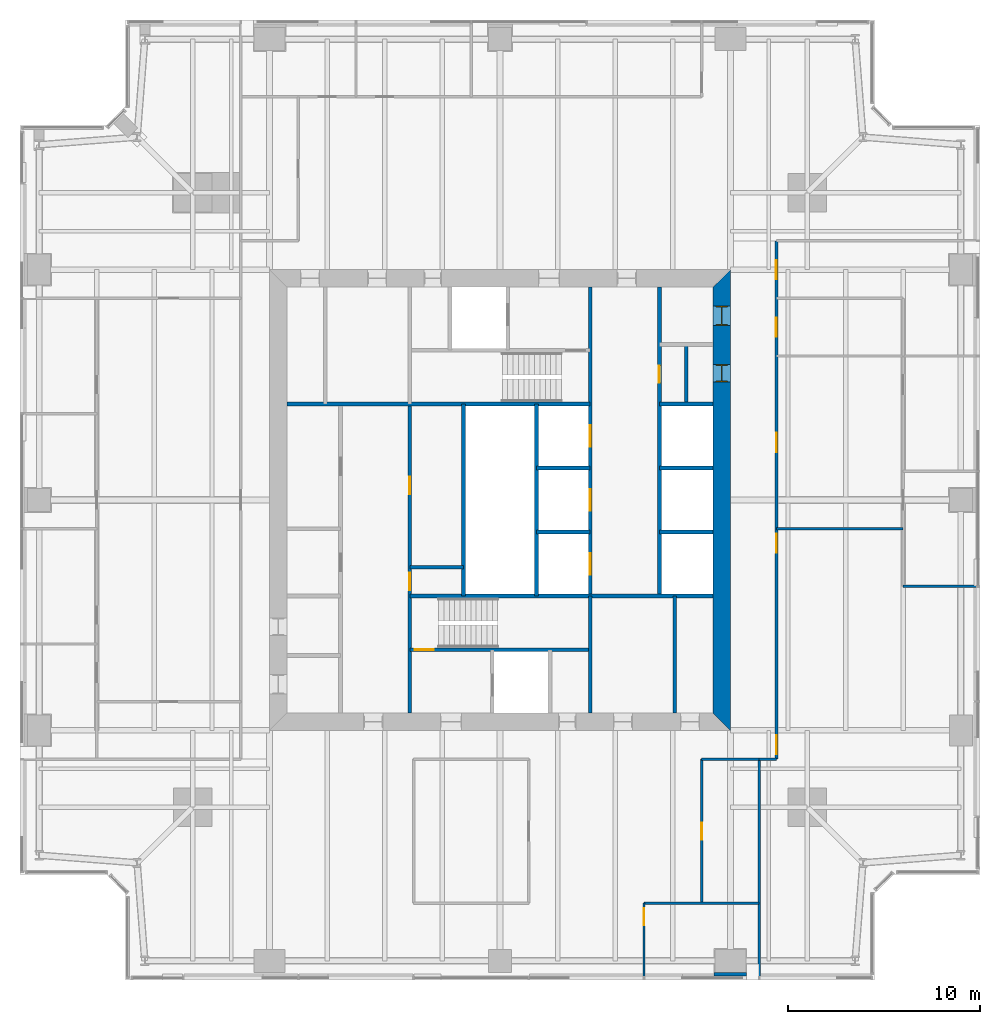
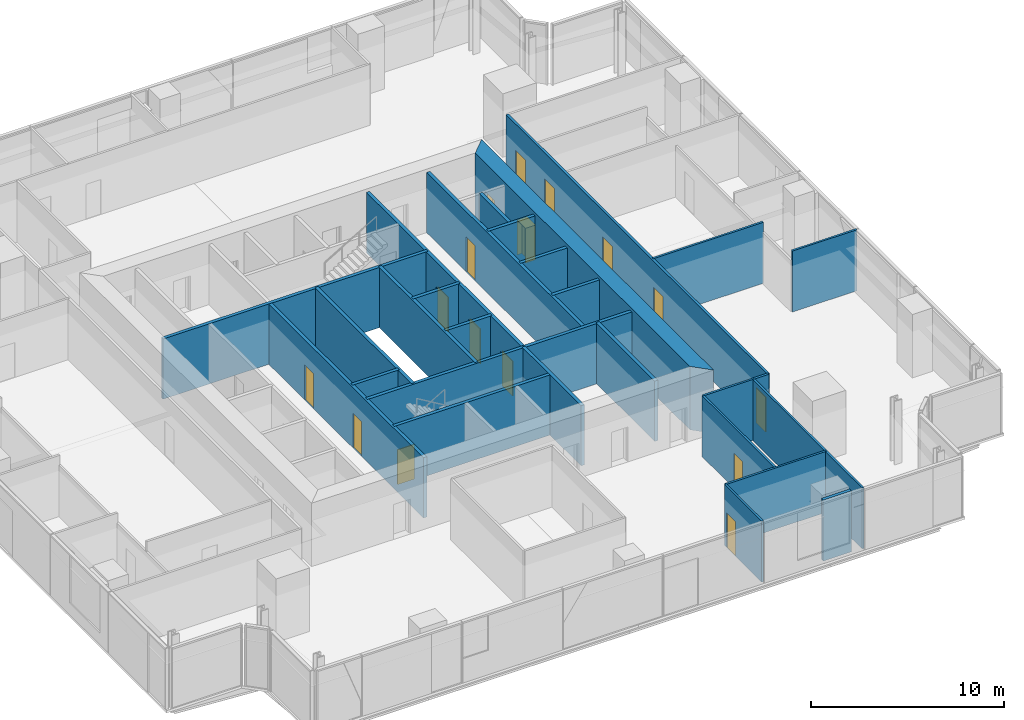
# One storey, part 10 of 14: 28 walls, 16 doors, 16 openings.
"""IFC4 building model written with IfcOpenShell, lengths in metres."""

from ifc_helpers import new_model, si_unit, direction, frame, frame_2d, origin, place, context, subcontext, project, spatial, polyline, rectangle, outline, extrude, material, layer, layer_set, type_object, element, fill, save


model = new_model("IFC4")

# Units and contexts
model_context = context("Model", 3, precision=1e-05, world=origin(), true_north=direction((0.0, 1.0)))
body_context = subcontext(model_context, "Body", "Model", "MODEL_VIEW")
ifc_project = project(units=[si_unit("LENGTHUNIT", "METRE"), si_unit("AREAUNIT", "SQUARE_METRE"), si_unit("VOLUMEUNIT", "CUBIC_METRE"), si_unit("PLANEANGLEUNIT", "RADIAN"), si_unit("MASSUNIT", "GRAM", prefix="KILO")], contexts=[model_context])

# Site, building, storey
site_placement = place(None, origin())
site = spatial("IfcSite", under=ifc_project, at=site_placement, CompositionType="ELEMENT")
building_placement = place(site_placement, origin())
building = spatial("IfcBuilding", under=site, at=building_placement, Name="Fenwick Lantern Interchange", CompositionType="ELEMENT")
storey_placement = place(building_placement, frame((0.0, 0.0, 173.800048828125)))
storey = spatial("IfcBuildingStorey", under=building, at=storey_placement, Name="L40", CompositionType="ELEMENT", Elevation=173.800048828125)

# Walls
ifc_material_1 = material(Name="Fire-rated gypsum board encasement on steel studs, 2 hour", Category="steel")
ifc_layer_1 = layer(ifc_material_1, 1.699951171875)
ifc_layer_set_1 = layer_set([ifc_layer_1], Name="COLUMN PIER 1700")
wall_type_1 = type_object("IfcWallType", Name="COLUMN PIER 1700", PredefinedType="PARTITIONING", material=ifc_layer_set_1)
wall_1_placement = place(storey_placement, frame((37.0, 0.199951171875, 0.0), z_axis=(0.0, 0.0, 1.0), x_axis=(0.0, 1.0, 0.0)))
element("IfcWall", 1, at=wall_1_placement, inside=storey, type_object=wall_type_1, Name="L40/W/PIER/CS4", PredefinedType="PARTITIONING", context=body_context, shape_type="SweptSolid", body=[
    extrude(rectangle(XDim=0.199951171875, YDim=1.699951171875, at=frame_2d((0.10009765625, 0.0))), origin(), (0.0, 0.0, 1.0), 3.849853515625),
])
ifc_material_2 = material(Name="Concrete masonry ASTM C90 Grade N", Category="masonry")
ifc_layer_2 = layer(ifc_material_2, 0.199951171875)
ifc_layer_set_2 = layer_set([ifc_layer_2], Name="Concrete masonry ASTM C90 Grade N")
wall_type_2 = type_object("IfcWallType", Name="CORE PARTITION 200", PredefinedType="PARTITIONING", material=ifc_layer_set_2)
wall_2_placement = place(storey_placement, frame((23.10009765625, 20.0, 0.0), z_axis=(0.0, 0.0, 1.0), x_axis=(0.0, 1.0, 0.0)))
element("IfcWall", 2, at=wall_2_placement, inside=storey, type_object=wall_type_2, Name="L40/W/CORES/e3", PredefinedType="PARTITIONING", context=body_context, shape_type="SweptSolid", body=[
    extrude(rectangle(XDim=10.0, YDim=0.199951171875, at=frame_2d((5.0, 0.0))), origin(), (0.0, 0.0, 1.0), 3.800048828125),
])
wall_3_placement = place(storey_placement, frame((34.10009765625, 13.89990234375, 0.0), z_axis=(0.0, 0.0, 1.0), x_axis=(0.0, 1.0, 0.0)))
element("IfcWall", 3, at=wall_3_placement, inside=storey, type_object=wall_type_2, Name="L40/W/CORES/i2", PredefinedType="PARTITIONING", context=body_context, shape_type="SweptSolid", body=[
    extrude(rectangle(XDim=6.10009765625, YDim=0.199951171875, at=frame_2d((3.050048828125, 0.0))), origin(), (0.0, 0.0, 1.0), 3.800048828125),
])
wall_4_placement = place(storey_placement, frame((20.300048828125, 21.5, 0.0), z_axis=(0.0, 0.0, 1.0), x_axis=(1.0, 0.0, 0.0)))
element("IfcWall", 4, at=wall_4_placement, inside=storey, type_object=wall_type_2, Name="L40/W/CORES/q1", PredefinedType="PARTITIONING", context=body_context, shape_type="SweptSolid", body=[
    extrude(rectangle(XDim=2.800048828125, YDim=0.199951171875, at=frame_2d((1.39990234375, 0.0))), origin(), (0.0, 0.0, 1.0), 3.800048828125),
])

# Wall, opening, door
wall_5_placement = place(storey_placement, frame((33.300048828125, 36.10009765625, 0.0), z_axis=(0.0, 0.0, 1.0), x_axis=(0.0, -1.0, 0.0)))
wall_5 = element("IfcWall", 5, at=wall_5_placement, inside=storey, type_object=wall_type_2, Name="L40/W/COREN/a", PredefinedType="PARTITIONING", context=body_context, shape_type="SweptSolid", body=[
    extrude(rectangle(XDim=16.10009765625, YDim=0.199951171875, at=frame_2d((8.050048828125, 0.0))), origin(), (0.0, 0.0, 1.0), 3.800048828125),
])
opening_1_placement = place(wall_5_placement, frame((4.10009765625, 0.0, 0.0)))
opening_1 = element("IfcOpeningElement", 6, at=opening_1_placement, cuts=wall_5, Name="Opening L40-D020", PredefinedType="OPENING", context=body_context, shape_type="SweptSolid", body=[
    extrude(rectangle(XDim=0.89990234375, YDim=2.199951171875, at=frame_2d((0.449951171875, 1.10009765625))), frame((0.0, 0.10986328125, 0.0), z_axis=(0.0, -1.0, 0.0), x_axis=(1.0, 0.0, 0.0)), (0.0, 0.0, 1.0), 0.219970703125),
])
ifc_material_3 = material(Name="Steel door and frame", Category="steel")
door_type_1 = type_object("IfcDoorType", Name="SERVICE DOOR 900 X 2200", OperationType="SINGLE_SWING_LEFT", PredefinedType="DOOR", material=ifc_material_3)
door_1_placement = place(opening_1_placement, origin())
door_1 = element("IfcDoor", 7, at=door_1_placement, inside=storey, type_object=door_type_1, Name="Service door", OperationType="SINGLE_SWING_LEFT", OverallHeight=2.199951171875, OverallWidth=0.89990234375, PredefinedType="DOOR", context=body_context, shape_type="SweptSolid", body=[
    extrude(rectangle(XDim=0.89990234375, YDim=2.199951171875, at=frame_2d((0.449951171875, 1.10009765625))), frame((0.0, 0.02490234375, 0.0), z_axis=(0.0, -1.0, 0.0), x_axis=(1.0, 0.0, 0.0)), (0.0, 0.0, 1.0), 0.050048828125),
])
fill(opening_1, door_1)

# Walls
for number, where, z_axis, x_axis, name in (
    (8, (36.10009765625, 30.0, 0.0), (0.0, 0.0, 1.0), (-1.0, 0.0, 0.0), "L40/W/COREN/c2"),
    (9, (36.10009765625, 26.666748046875, 0.0), (0.0, 0.0, 1.0), (-1.0, 0.0, 0.0), "L40/W/COREN/d1"),
    (10, (36.10009765625, 23.333251953125, 0.0), (0.0, 0.0, 1.0), (-1.0, 0.0, 0.0), "L40/W/COREN/d2"),
    (11, (29.699951171875, 26.666748046875, 0.0), (0.0, 0.0, 1.0), (-1.0, 0.0, 0.0), "L40/W/COREN/e1"),
    (12, (29.699951171875, 23.333251953125, 0.0), (0.0, 0.0, 1.0), (-1.0, 0.0, 0.0), "L40/W/COREN/e2"),
):
    element("IfcWall", number, at=place(storey_placement, frame(where, z_axis=z_axis, x_axis=x_axis)), inside=storey, type_object=wall_type_2, Name=name, PredefinedType="PARTITIONING", context=body_context, shape_type="SweptSolid", body=[
        extrude(rectangle(XDim=2.800048828125, YDim=0.199951171875, at=frame_2d((1.39990234375, 0.0))), origin(), (0.0, 0.0, 1.0), 3.800048828125),
    ])
wall_6_placement = place(storey_placement, frame((26.89990234375, 30.0, 0.0), z_axis=(0.0, 0.0, 1.0), x_axis=(0.0, -1.0, 0.0)))
element("IfcWall", 13, at=wall_6_placement, inside=storey, type_object=wall_type_2, Name="L40/W/COREN/e3", PredefinedType="PARTITIONING", context=body_context, shape_type="SweptSolid", body=[
    extrude(rectangle(XDim=10.0, YDim=0.199951171875, at=frame_2d((5.0, 0.0))), origin(), (0.0, 0.0, 1.0), 3.800048828125),
])
wall_7_placement = place(storey_placement, frame((34.699951171875, 33.10009765625, 0.0), z_axis=(0.0, 0.0, 1.0), x_axis=(0.0, -1.0, 0.0)))
element("IfcWall", 14, at=wall_7_placement, inside=storey, type_object=wall_type_2, Name="L40/W/COREN/px", PredefinedType="PARTITIONING", context=body_context, shape_type="SweptSolid", body=[
    extrude(rectangle(XDim=3.10009765625, YDim=0.199951171875, at=frame_2d((1.550048828125, 0.0))), origin(), (0.0, 0.0, 1.0), 3.800048828125),
])

# Wall, openings, doors
ifc_material_4 = material(Name="Concrete f'c 70 MPa", Category="concrete")
ifc_layer_3 = layer(ifc_material_4, 0.89990234375)
ifc_layer_set_3 = layer_set([ifc_layer_3], Name="CORE WALL 900")
wall_type_3 = type_object("IfcWallType", Name="CORE WALL 900", PredefinedType="SHEAR", material=ifc_layer_set_3)
wall_8_placement = place(storey_placement, frame((36.550048828125, 13.89990234375, 0.0), z_axis=(0.0, 0.0, 1.0), x_axis=(0.0, 1.0, 0.0)))
wall_8 = element("IfcWall", 15, at=wall_8_placement, inside=storey, type_object=wall_type_3, Name="L40/CORE/E", PredefinedType="SHEAR", context=body_context, shape_type="SweptSolid", body=[
    extrude(outline(polyline([(-0.89990234375, -0.449951171875), (23.10009765625, -0.449951171875), (22.199951171875, 0.449951171875), (0.0, 0.449951171875), (-0.89990234375, -0.449951171875)])), origin(), (0.0, 0.0, 1.0), 4.0),
])
opening_2_placement = place(wall_8_placement, frame((20.199951171875, 0.0, 0.0)))
opening_2 = element("IfcOpeningElement", 16, at=opening_2_placement, cuts=wall_8, Name="Opening L40-D019", PredefinedType="OPENING", context=body_context, shape_type="SweptSolid", body=[
    extrude(rectangle(XDim=1.0, YDim=2.199951171875, at=frame_2d((0.5, 1.10009765625))), frame((0.0, 0.4599609375, 0.0), z_axis=(0.0, -1.0, 0.0), x_axis=(1.0, 0.0, 0.0)), (0.0, 0.0, 1.0), 0.919921875),
])
opening_3_placement = place(wall_8_placement, frame((17.25, 0.0, 0.0)))
opening_3 = element("IfcOpeningElement", 17, at=opening_3_placement, cuts=wall_8, Name="Opening L40-D021", PredefinedType="OPENING", context=body_context, shape_type="SweptSolid", body=[
    extrude(rectangle(XDim=0.89990234375, YDim=2.199951171875, at=frame_2d((0.449951171875, 1.10009765625))), frame((0.0, 0.4599609375, 0.0), z_axis=(0.0, -1.0, 0.0), x_axis=(1.0, 0.0, 0.0)), (0.0, 0.0, 1.0), 0.919921875),
])
door_2_placement = place(opening_3_placement, origin())
door_2 = element("IfcDoor", 18, at=door_2_placement, inside=storey, type_object=door_type_1, Name="Service door", OperationType="SINGLE_SWING_RIGHT", OverallHeight=2.199951171875, OverallWidth=0.89990234375, PredefinedType="DOOR", context=body_context, shape_type="SweptSolid", body=[
    extrude(rectangle(XDim=0.89990234375, YDim=2.199951171875, at=frame_2d((0.449951171875, 1.10009765625))), frame((0.0, 0.02490234375, 0.0), z_axis=(0.0, -1.0, 0.0), x_axis=(1.0, 0.0, 0.0)), (0.0, 0.0, 1.0), 0.050048828125),
    extrude(outline(polyline([(0.0, 0.0), (0.0400390625, 0.0), (0.0400390625, 2.159912109375), (0.85986328125, 2.159912109375), (0.85986328125, 0.0), (0.89990234375, 0.0), (0.89990234375, 2.199951171875), (0.0, 2.199951171875), (0.0, 0.0)])), frame((0.0, 0.300048828125, 0.0), z_axis=(0.0, -1.0, 0.0), x_axis=(1.0, 0.0, 0.0)), (0.0, 0.0, 1.0), 0.60009765625),
])
fill(opening_3, door_2)
ifc_material_5 = material(Name="Hardwood door and steel frame", Category="steel")
door_type_2 = type_object("IfcDoorType", Name="WC DOOR 1000 X 2200", OperationType="SINGLE_SWING_LEFT", PredefinedType="DOOR", material=ifc_material_5)
door_3_placement = place(opening_2_placement, origin())
door_3 = element("IfcDoor", 19, at=door_3_placement, inside=storey, type_object=door_type_2, Name="Wc door", OperationType="SINGLE_SWING_LEFT", OverallHeight=2.199951171875, OverallWidth=1.0, PredefinedType="DOOR", context=body_context, shape_type="SweptSolid", body=[
    extrude(rectangle(XDim=1.0, YDim=2.199951171875, at=frame_2d((0.5, 1.10009765625))), frame((0.0, 0.02490234375, 0.0), z_axis=(0.0, -1.0, 0.0), x_axis=(1.0, 0.0, 0.0)), (0.0, 0.0, 1.0), 0.050048828125),
    extrude(outline(polyline([(0.0, 0.0), (0.0400390625, 0.0), (0.0400390625, 2.159912109375), (0.9599609375, 2.159912109375), (0.9599609375, 0.0), (1.0, 0.0), (1.0, 2.199951171875), (0.0, 2.199951171875), (0.0, 0.0)])), frame((0.0, 0.300048828125, 0.0), z_axis=(0.0, -1.0, 0.0), x_axis=(1.0, 0.0, 0.0)), (0.0, 0.0, 1.0), 0.60009765625),
])
fill(opening_2, door_3)

# Wall
ifc_material_6 = material(Name="Gypsum board on steel studs, 1 hour", Category="steel")
ifc_layer_4 = layer(ifc_material_6, 0.14990234375)
ifc_layer_set_4 = layer_set([ifc_layer_4], Name="CORRIDOR WALL 150")
wall_type_4 = type_object("IfcWallType", Name="CORRIDOR WALL 150", PredefinedType="PARTITIONING", material=ifc_layer_set_4)
wall_9_placement = place(storey_placement, frame((38.5, 11.5, 0.0), z_axis=(0.0, 0.0, 1.0), x_axis=(1.0, 0.0, 0.0)))
element("IfcWall", 20, at=wall_9_placement, inside=storey, type_object=wall_type_4, Name="L40/W/OFF/E/CWJ", PredefinedType="PARTITIONING", context=body_context, shape_type="SweptSolid", body=[
    extrude(rectangle(XDim=0.89990234375, YDim=0.14990234375, at=frame_2d((0.449951171875, 0.0))), origin(), (0.0, 0.0, 1.0), 3.849853515625),
])

# Wall, openings, doors
wall_10_placement = place(storey_placement, frame((39.39990234375, 11.5, 0.0), z_axis=(0.0, 0.0, 1.0), x_axis=(0.0, 1.0, 0.0)))
wall_10 = element("IfcWall", 21, at=wall_10_placement, inside=storey, type_object=wall_type_4, Name="L40/W/OFF/E/CW2", PredefinedType="PARTITIONING", context=body_context, shape_type="SweptSolid", body=[
    extrude(rectangle(XDim=27.0, YDim=0.14990234375, at=frame_2d((13.5, 0.0))), origin(), (0.0, 0.0, 1.0), 3.849853515625),
])
opening_4_placement = place(wall_10_placement, frame((16.0, 0.0, 0.0)))
opening_4 = element("IfcOpeningElement", 22, at=opening_4_placement, cuts=wall_10, Name="Opening L40-D025", PredefinedType="OPENING", context=body_context, shape_type="SweptSolid", body=[
    extrude(rectangle(XDim=1.0, YDim=2.199951171875, at=frame_2d((0.5, 1.10009765625))), frame((0.0, 0.0849609375, 0.0), z_axis=(0.0, -1.0, 0.0), x_axis=(1.0, 0.0, 0.0)), (0.0, 0.0, 1.0), 0.169921875),
])
opening_5_placement = place(wall_10_placement, frame((0.25, 0.0, 0.0)))
opening_5 = element("IfcOpeningElement", 23, at=opening_5_placement, cuts=wall_10, Name="Opening L40-D028", PredefinedType="OPENING", context=body_context, shape_type="SweptSolid", body=[
    extrude(rectangle(XDim=1.0, YDim=2.199951171875, at=frame_2d((0.5, 1.10009765625))), frame((0.0, 0.0849609375, 0.0), z_axis=(0.0, -1.0, 0.0), x_axis=(1.0, 0.0, 0.0)), (0.0, 0.0, 1.0), 0.169921875),
])
opening_6_placement = place(wall_10_placement, frame((10.75, 0.0, 0.0)))
opening_6 = element("IfcOpeningElement", 24, at=opening_6_placement, cuts=wall_10, Name="Opening L40-D029", PredefinedType="OPENING", context=body_context, shape_type="SweptSolid", body=[
    extrude(rectangle(XDim=1.0, YDim=2.199951171875, at=frame_2d((0.5, 1.10009765625))), frame((0.0, 0.0849609375, 0.0), z_axis=(0.0, -1.0, 0.0), x_axis=(1.0, 0.0, 0.0)), (0.0, 0.0, 1.0), 0.169921875),
])
opening_7_placement = place(wall_10_placement, frame((22.0, 0.0, 0.0)))
opening_7 = element("IfcOpeningElement", 25, at=opening_7_placement, cuts=wall_10, Name="Opening L40-D030", PredefinedType="OPENING", context=body_context, shape_type="SweptSolid", body=[
    extrude(rectangle(XDim=1.0, YDim=2.199951171875, at=frame_2d((0.5, 1.10009765625))), frame((0.0, 0.0849609375, 0.0), z_axis=(0.0, -1.0, 0.0), x_axis=(1.0, 0.0, 0.0)), (0.0, 0.0, 1.0), 0.169921875),
])
opening_8_placement = place(wall_10_placement, frame((25.0, 0.0, 0.0)))
opening_8 = element("IfcOpeningElement", 26, at=opening_8_placement, cuts=wall_10, Name="Opening L40-D031", PredefinedType="OPENING", context=body_context, shape_type="SweptSolid", body=[
    extrude(rectangle(XDim=1.0, YDim=2.199951171875, at=frame_2d((0.5, 1.10009765625))), frame((0.0, 0.0849609375, 0.0), z_axis=(0.0, -1.0, 0.0), x_axis=(1.0, 0.0, 0.0)), (0.0, 0.0, 1.0), 0.169921875),
])
door_type_3 = type_object("IfcDoorType", Name="SUITE ENTRANCE DOOR 1000 X 2200", OperationType="SINGLE_SWING_LEFT", PredefinedType="DOOR", material=ifc_material_3)
door_4_placement = place(opening_4_placement, origin())
door_4 = element("IfcDoor", 27, at=door_4_placement, inside=storey, type_object=door_type_3, Name="Suite entrance door", OperationType="SINGLE_SWING_RIGHT", OverallHeight=2.199951171875, OverallWidth=1.0, PredefinedType="DOOR", context=body_context, shape_type="SweptSolid", body=[
    extrude(rectangle(XDim=1.0, YDim=2.199951171875, at=frame_2d((0.5, 1.10009765625))), frame((0.0, 0.02490234375, 0.0), z_axis=(0.0, -1.0, 0.0), x_axis=(1.0, 0.0, 0.0)), (0.0, 0.0, 1.0), 0.050048828125),
])
fill(opening_4, door_4)
door_5_placement = place(opening_5_placement, origin())
door_5 = element("IfcDoor", 28, at=door_5_placement, inside=storey, type_object=door_type_3, Name="Suite entrance door", OperationType="SINGLE_SWING_LEFT", OverallHeight=2.199951171875, OverallWidth=1.0, PredefinedType="DOOR", context=body_context, shape_type="SweptSolid", body=[
    extrude(rectangle(XDim=1.0, YDim=2.199951171875, at=frame_2d((0.5, 1.10009765625))), frame((0.0, 0.02490234375, 0.0), z_axis=(0.0, -1.0, 0.0), x_axis=(1.0, 0.0, 0.0)), (0.0, 0.0, 1.0), 0.050048828125),
])
fill(opening_5, door_5)
door_6_placement = place(opening_6_placement, origin())
door_6 = element("IfcDoor", 29, at=door_6_placement, inside=storey, type_object=door_type_3, Name="Suite entrance door", OperationType="SINGLE_SWING_LEFT", OverallHeight=2.199951171875, OverallWidth=1.0, PredefinedType="DOOR", context=body_context, shape_type="SweptSolid", body=[
    extrude(rectangle(XDim=1.0, YDim=2.199951171875, at=frame_2d((0.5, 1.10009765625))), frame((0.0, 0.02490234375, 0.0), z_axis=(0.0, -1.0, 0.0), x_axis=(1.0, 0.0, 0.0)), (0.0, 0.0, 1.0), 0.050048828125),
])
fill(opening_6, door_6)
door_7_placement = place(opening_7_placement, frame((1.0, 0.0, 0.0), z_axis=(0.0, 0.0, 1.0), x_axis=(-1.0, 0.0, 0.0)))
door_7 = element("IfcDoor", 30, at=door_7_placement, inside=storey, type_object=door_type_3, Name="Suite entrance door", OperationType="SINGLE_SWING_RIGHT", OverallHeight=2.199951171875, OverallWidth=1.0, PredefinedType="DOOR", context=body_context, shape_type="SweptSolid", body=[
    extrude(rectangle(XDim=1.0, YDim=2.199951171875, at=frame_2d((0.5, 1.10009765625))), frame((0.0, 0.02490234375, 0.0), z_axis=(0.0, -1.0, 0.0), x_axis=(1.0, 0.0, 0.0)), (0.0, 0.0, 1.0), 0.050048828125),
])
fill(opening_7, door_7)
door_8_placement = place(opening_8_placement, frame((1.0, 0.0, 0.0), z_axis=(0.0, 0.0, 1.0), x_axis=(-1.0, 0.0, 0.0)))
door_8 = element("IfcDoor", 31, at=door_8_placement, inside=storey, type_object=door_type_3, Name="Suite entrance door", OperationType="SINGLE_SWING_RIGHT", OverallHeight=2.199951171875, OverallWidth=1.0, PredefinedType="DOOR", context=body_context, shape_type="SweptSolid", body=[
    extrude(rectangle(XDim=1.0, YDim=2.199951171875, at=frame_2d((0.5, 1.10009765625))), frame((0.0, 0.02490234375, 0.0), z_axis=(0.0, -1.0, 0.0), x_axis=(1.0, 0.0, 0.0)), (0.0, 0.0, 1.0), 0.050048828125),
])
fill(opening_8, door_8)

# Wall, opening, door
ifc_material_7 = material(Name="Gypsum board on steel studs, acoustic", Category="steel")
ifc_layer_5 = layer(ifc_material_7, 0.125)
ifc_layer_set_5 = layer_set([ifc_layer_5], Name="OFFICE PARTITION 125")
wall_type_5 = type_object("IfcWallType", Name="OFFICE PARTITION 125", PredefinedType="PARTITIONING", material=ifc_layer_set_5)
wall_11_placement = place(storey_placement, frame((32.5, 0.14990234375, 0.0), z_axis=(0.0, 0.0, 1.0), x_axis=(0.0, 1.0, 0.0)))
wall_11 = element("IfcWall", 32, at=wall_11_placement, inside=storey, type_object=wall_type_5, Name="L40/W/OFF/S/X325-1", PredefinedType="PARTITIONING", context=body_context, shape_type="SweptSolid", body=[
    extrude(rectangle(XDim=3.85009765625, YDim=0.125, at=frame_2d((1.925048828125, 0.0))), origin(), (0.0, 0.0, 1.0), 3.849853515625),
])
opening_9_placement = place(wall_11_placement, frame((2.699951171875, 0.0, 0.0)))
opening_9 = element("IfcOpeningElement", 33, at=opening_9_placement, cuts=wall_11, Name="Opening L40-D023", PredefinedType="OPENING", context=body_context, shape_type="SweptSolid", body=[
    extrude(rectangle(XDim=0.89990234375, YDim=2.199951171875, at=frame_2d((0.449951171875, 1.10009765625))), frame((0.0, 0.072509765625, 0.0), z_axis=(0.0, -1.0, 0.0), x_axis=(1.0, 0.0, 0.0)), (0.0, 0.0, 1.0), 0.14501953125),
])
door_type_4 = type_object("IfcDoorType", Name="OFFICE DOOR 900 X 2200", OperationType="SINGLE_SWING_LEFT", PredefinedType="DOOR", material=ifc_material_5)
door_9_placement = place(opening_9_placement, frame((0.89990234375, 0.0, 0.0), z_axis=(0.0, 0.0, 1.0), x_axis=(-1.0, 0.0, 0.0)))
door_9 = element("IfcDoor", 34, at=door_9_placement, inside=storey, type_object=door_type_4, Name="Office door", OperationType="SINGLE_SWING_LEFT", OverallHeight=2.199951171875, OverallWidth=0.89990234375, PredefinedType="DOOR", context=body_context, shape_type="SweptSolid", body=[
    extrude(rectangle(XDim=0.89990234375, YDim=2.199951171875, at=frame_2d((0.449951171875, 1.10009765625))), frame((0.0, 0.02490234375, 0.0), z_axis=(0.0, -1.0, 0.0), x_axis=(1.0, 0.0, 0.0)), (0.0, 0.0, 1.0), 0.050048828125),
])
fill(opening_9, door_9)

wall_12_placement = place(storey_placement, frame((35.5, 4.0, 0.0), z_axis=(0.0, 0.0, 1.0), x_axis=(0.0, 1.0, 0.0)))
wall_12 = element("IfcWall", 35, at=wall_12_placement, inside=storey, type_object=wall_type_5, Name="L40/W/OFF/S/X355-1", PredefinedType="PARTITIONING", context=body_context, shape_type="SweptSolid", body=[
    extrude(rectangle(XDim=7.5, YDim=0.125, at=frame_2d((3.75, 0.0))), origin(), (0.0, 0.0, 1.0), 3.849853515625),
])
opening_10_placement = place(wall_12_placement, frame((3.300048828125, 0.0, 0.0)))
opening_10 = element("IfcOpeningElement", 36, at=opening_10_placement, cuts=wall_12, Name="Opening L40-D024", PredefinedType="OPENING", context=body_context, shape_type="SweptSolid", body=[
    extrude(rectangle(XDim=0.89990234375, YDim=2.199951171875, at=frame_2d((0.449951171875, 1.10009765625))), frame((0.0, 0.072509765625, 0.0), z_axis=(0.0, -1.0, 0.0), x_axis=(1.0, 0.0, 0.0)), (0.0, 0.0, 1.0), 0.14501953125),
])
door_10_placement = place(opening_10_placement, frame((0.89990234375, 0.0, 0.0), z_axis=(0.0, 0.0, 1.0), x_axis=(-1.0, 0.0, 0.0)))
door_10 = element("IfcDoor", 37, at=door_10_placement, inside=storey, type_object=door_type_4, Name="Office door", OperationType="SINGLE_SWING_RIGHT", OverallHeight=2.199951171875, OverallWidth=0.89990234375, PredefinedType="DOOR", context=body_context, shape_type="SweptSolid", body=[
    extrude(rectangle(XDim=0.89990234375, YDim=2.199951171875, at=frame_2d((0.449951171875, 1.10009765625))), frame((0.0, 0.02490234375, 0.0), z_axis=(0.0, -1.0, 0.0), x_axis=(1.0, 0.0, 0.0)), (0.0, 0.0, 1.0), 0.050048828125),
])
fill(opening_10, door_10)

# Walls
wall_13_placement = place(storey_placement, frame((32.5, 4.0, 0.0), z_axis=(0.0, 0.0, 1.0), x_axis=(1.0, 0.0, 0.0)))
element("IfcWall", 38, at=wall_13_placement, inside=storey, type_object=wall_type_5, Name="L40/W/OFF/S/Y40-2", PredefinedType="PARTITIONING", context=body_context, shape_type="SweptSolid", body=[
    extrude(rectangle(XDim=6.0, YDim=0.125, at=frame_2d((3.0, 0.0))), origin(), (0.0, 0.0, 1.0), 3.849853515625),
])
wall_14_placement = place(storey_placement, frame((35.5, 11.5, 0.0), z_axis=(0.0, 0.0, 1.0), x_axis=(1.0, 0.0, 0.0)))
element("IfcWall", 39, at=wall_14_placement, inside=storey, type_object=wall_type_5, Name="L40/W/OFF/S/CWS2", PredefinedType="PARTITIONING", context=body_context, shape_type="SweptSolid", body=[
    extrude(rectangle(XDim=3.0, YDim=0.125, at=frame_2d((1.5, 0.0))), origin(), (0.0, 0.0, 1.0), 3.849853515625),
])
wall_15_placement = place(storey_placement, frame((38.5, 0.14990234375, 0.0), z_axis=(0.0, 0.0, 1.0), x_axis=(0.0, 1.0, 0.0)))
element("IfcWall", 40, at=wall_15_placement, inside=storey, type_object=wall_type_5, Name="L40/W/OFF/E/BACK", PredefinedType="PARTITIONING", context=body_context, shape_type="SweptSolid", body=[
    extrude(rectangle(XDim=11.35009765625, YDim=0.125, at=frame_2d((5.675048828125, 0.0))), origin(), (0.0, 0.0, 1.0), 3.849853515625),
])
wall_16_placement = place(storey_placement, frame((49.85009765625, 20.5, 0.0), z_axis=(0.0, 0.0, 1.0), x_axis=(-1.0, 0.0, 0.0)))
element("IfcWall", 41, at=wall_16_placement, inside=storey, type_object=wall_type_5, Name="L40/W/OFF/E/X205-1", PredefinedType="PARTITIONING", context=body_context, shape_type="SweptSolid", body=[
    extrude(rectangle(XDim=3.85009765625, YDim=0.125, at=frame_2d((1.925048828125, 0.0))), origin(), (0.0, 0.0, 1.0), 3.849853515625),
])
wall_17_placement = place(storey_placement, frame((46.0, 23.5, 0.0), z_axis=(0.0, 0.0, 1.0), x_axis=(-1.0, 0.0, 0.0)))
element("IfcWall", 42, at=wall_17_placement, inside=storey, type_object=wall_type_5, Name="L40/W/OFF/E/X235-1", PredefinedType="PARTITIONING", context=body_context, shape_type="SweptSolid", body=[
    extrude(rectangle(XDim=6.60009765625, YDim=0.125, at=frame_2d((3.300048828125, 0.0))), origin(), (0.0, 0.0, 1.0), 3.849853515625),
])

# Wall, openings, doors
ifc_material_8 = material(Name="Concrete f'c 45 MPa", Category="concrete")
ifc_layer_6 = layer(ifc_material_8, 0.199951171875)
ifc_layer_set_6 = layer_set([ifc_layer_6], Name="STAIR CORE WALL 200")
wall_type_6 = type_object("IfcWallType", Name="STAIR CORE WALL 200", PredefinedType="SOLIDWALL", material=ifc_layer_set_6)
wall_18_placement = place(storey_placement, frame((20.300048828125, 13.89990234375, 0.0), z_axis=(0.0, 0.0, 1.0), x_axis=(0.0, 1.0, 0.0)))
wall_18 = element("IfcWall", 43, at=wall_18_placement, inside=storey, type_object=wall_type_6, Name="L40/W/CORES/b", PredefinedType="SOLIDWALL", context=body_context, shape_type="SweptSolid", body=[
    extrude(rectangle(XDim=16.10009765625, YDim=0.199951171875, at=frame_2d((8.050048828125, 0.0))), origin(), (0.0, 0.0, 1.0), 3.800048828125),
])
opening_11_placement = place(wall_18_placement, frame((6.39990234375, 0.0, 0.0)))
opening_11 = element("IfcOpeningElement", 44, at=opening_11_placement, cuts=wall_18, Name="Opening L40-D011", PredefinedType="OPENING", context=body_context, shape_type="SweptSolid", body=[
    extrude(rectangle(XDim=0.89990234375, YDim=2.199951171875, at=frame_2d((0.449951171875, 1.10009765625))), frame((0.0, 0.10986328125, 0.0), z_axis=(0.0, -1.0, 0.0), x_axis=(1.0, 0.0, 0.0)), (0.0, 0.0, 1.0), 0.219970703125),
])
opening_12_placement = place(wall_18_placement, frame((11.39990234375, 0.0, 0.0)))
opening_12 = element("IfcOpeningElement", 45, at=opening_12_placement, cuts=wall_18, Name="Opening L40-D012", PredefinedType="OPENING", context=body_context, shape_type="SweptSolid", body=[
    extrude(rectangle(XDim=0.89990234375, YDim=2.199951171875, at=frame_2d((0.449951171875, 1.10009765625))), frame((0.0, 0.10986328125, 0.0), z_axis=(0.0, -1.0, 0.0), x_axis=(1.0, 0.0, 0.0)), (0.0, 0.0, 1.0), 0.219970703125),
])
door_11_placement = place(opening_11_placement, frame((0.89990234375, 0.0, 0.0), z_axis=(0.0, 0.0, 1.0), x_axis=(-1.0, 0.0, 0.0)))
door_11 = element("IfcDoor", 46, at=door_11_placement, inside=storey, type_object=door_type_1, Name="Service door", OperationType="SINGLE_SWING_RIGHT", OverallHeight=2.199951171875, OverallWidth=0.89990234375, PredefinedType="DOOR", context=body_context, shape_type="SweptSolid", body=[
    extrude(rectangle(XDim=0.89990234375, YDim=2.199951171875, at=frame_2d((0.449951171875, 1.10009765625))), frame((0.0, 0.02490234375, 0.0), z_axis=(0.0, -1.0, 0.0), x_axis=(1.0, 0.0, 0.0)), (0.0, 0.0, 1.0), 0.050048828125),
])
fill(opening_11, door_11)
door_12_placement = place(opening_12_placement, frame((0.89990234375, 0.0, 0.0), z_axis=(0.0, 0.0, 1.0), x_axis=(-1.0, 0.0, 0.0)))
door_12 = element("IfcDoor", 47, at=door_12_placement, inside=storey, type_object=door_type_1, Name="Service door", OperationType="SINGLE_SWING_RIGHT", OverallHeight=2.199951171875, OverallWidth=0.89990234375, PredefinedType="DOOR", context=body_context, shape_type="SweptSolid", body=[
    extrude(rectangle(XDim=0.89990234375, YDim=2.199951171875, at=frame_2d((0.449951171875, 1.10009765625))), frame((0.0, 0.02490234375, 0.0), z_axis=(0.0, -1.0, 0.0), x_axis=(1.0, 0.0, 0.0)), (0.0, 0.0, 1.0), 0.050048828125),
])
fill(opening_12, door_12)

# Wall, opening, door
wall_19_placement = place(storey_placement, frame((20.300048828125, 17.199951171875, 0.0), z_axis=(0.0, 0.0, 1.0), x_axis=(1.0, 0.0, 0.0)))
wall_19 = element("IfcWall", 48, at=wall_19_placement, inside=storey, type_object=wall_type_6, Name="L40/W/CORES/g1", PredefinedType="SOLIDWALL", context=body_context, shape_type="SweptSolid", body=[
    extrude(rectangle(XDim=9.39990234375, YDim=0.199951171875, at=frame_2d((4.699951171875, 0.0))), origin(), (0.0, 0.0, 1.0), 3.800048828125),
])
opening_13_placement = place(wall_19_placement, frame((0.25, 0.0, 0.0)))
opening_13 = element("IfcOpeningElement", 49, at=opening_13_placement, cuts=wall_19, Name="Opening L40-D003", PredefinedType="OPENING", context=body_context, shape_type="SweptSolid", body=[
    extrude(rectangle(XDim=1.0, YDim=2.199951171875, at=frame_2d((0.5, 1.10009765625))), frame((0.0, 0.10986328125, 0.0), z_axis=(0.0, -1.0, 0.0), x_axis=(1.0, 0.0, 0.0)), (0.0, 0.0, 1.0), 0.219970703125),
])
door_type_5 = type_object("IfcDoorType", Name="STAIR DOOR 1000 X 2200", OperationType="SINGLE_SWING_LEFT", PredefinedType="DOOR", material=ifc_material_3)
door_13_placement = place(opening_13_placement, origin())
door_13 = element("IfcDoor", 50, at=door_13_placement, inside=storey, type_object=door_type_5, Name="Stair door", OperationType="SINGLE_SWING_LEFT", OverallHeight=2.199951171875, OverallWidth=1.0, PredefinedType="DOOR", context=body_context, shape_type="SweptSolid", body=[
    extrude(rectangle(XDim=1.0, YDim=2.199951171875, at=frame_2d((0.5, 1.10009765625))), frame((0.0, 0.02490234375, 0.0), z_axis=(0.0, -1.0, 0.0), x_axis=(1.0, 0.0, 0.0)), (0.0, 0.0, 1.0), 0.050048828125),
])
fill(opening_13, door_13)

# Walls
wall_20_placement = place(storey_placement, frame((20.300048828125, 20.0, 0.0), z_axis=(0.0, 0.0, 1.0), x_axis=(1.0, 0.0, 0.0)))
element("IfcWall", 51, at=wall_20_placement, inside=storey, type_object=wall_type_6, Name="L40/W/CORES/g2", PredefinedType="SOLIDWALL", context=body_context, shape_type="SweptSolid", body=[
    extrude(rectangle(XDim=15.800048828125, YDim=0.199951171875, at=frame_2d((7.89990234375, 0.0))), origin(), (0.0, 0.0, 1.0), 3.800048828125),
])
wall_21_placement = place(storey_placement, frame((29.699951171875, 13.89990234375, 0.0), z_axis=(0.0, 0.0, 1.0), x_axis=(0.0, 1.0, 0.0)))
element("IfcWall", 52, at=wall_21_placement, inside=storey, type_object=wall_type_6, Name="L40/W/CORES/i1", PredefinedType="SOLIDWALL", context=body_context, shape_type="SweptSolid", body=[
    extrude(rectangle(XDim=6.10009765625, YDim=0.199951171875, at=frame_2d((3.050048828125, 0.0))), origin(), (0.0, 0.0, 1.0), 3.800048828125),
])

# Wall, openings, doors
wall_22_placement = place(storey_placement, frame((29.699951171875, 36.10009765625, 0.0), z_axis=(0.0, 0.0, 1.0), x_axis=(0.0, -1.0, 0.0)))
wall_22 = element("IfcWall", 53, at=wall_22_placement, inside=storey, type_object=wall_type_6, Name="L40/W/COREN/b", PredefinedType="SOLIDWALL", context=body_context, shape_type="SweptSolid", body=[
    extrude(rectangle(XDim=16.10009765625, YDim=0.199951171875, at=frame_2d((8.050048828125, 0.0))), origin(), (0.0, 0.0, 1.0), 3.800048828125),
])
opening_14_placement = place(wall_22_placement, frame((7.216552734375, 0.0, 0.0)))
opening_14 = element("IfcOpeningElement", 54, at=opening_14_placement, cuts=wall_22, Name="Opening LD-E2-1", PredefinedType="OPENING", context=body_context, shape_type="SweptSolid", body=[
    extrude(rectangle(XDim=1.10009765625, YDim=2.199951171875, at=frame_2d((0.550048828125, 1.10009765625))), frame((0.0, 0.10986328125, 0.0), z_axis=(0.0, -1.0, 0.0), x_axis=(1.0, 0.0, 0.0)), (0.0, 0.0, 1.0), 0.219970703125),
])
opening_15_placement = place(wall_22_placement, frame((10.550048828125, 0.0, 0.0)))
opening_15 = element("IfcOpeningElement", 55, at=opening_15_placement, cuts=wall_22, Name="Opening LD-E2-2", PredefinedType="OPENING", context=body_context, shape_type="SweptSolid", body=[
    extrude(rectangle(XDim=1.10009765625, YDim=2.199951171875, at=frame_2d((0.550048828125, 1.10009765625))), frame((0.0, 0.10986328125, 0.0), z_axis=(0.0, -1.0, 0.0), x_axis=(1.0, 0.0, 0.0)), (0.0, 0.0, 1.0), 0.219970703125),
])
opening_16_placement = place(wall_22_placement, frame((13.88330078125, 0.0, 0.0)))
opening_16 = element("IfcOpeningElement", 56, at=opening_16_placement, cuts=wall_22, Name="Opening LD-E2-3", PredefinedType="OPENING", context=body_context, shape_type="SweptSolid", body=[
    extrude(rectangle(XDim=1.10009765625, YDim=2.199951171875, at=frame_2d((0.550048828125, 1.10009765625))), frame((0.0, 0.10986328125, 0.0), z_axis=(0.0, -1.0, 0.0), x_axis=(1.0, 0.0, 0.0)), (0.0, 0.0, 1.0), 0.219970703125),
])
door_type_6 = type_object("IfcDoorType", Name="LIFT LANDING DOOR 1100 X 2200", OperationType="DOUBLE_DOOR_SLIDING", PredefinedType="DOOR", material=ifc_material_3)
door_14_placement = place(opening_14_placement, origin())
door_14 = element("IfcDoor", 57, at=door_14_placement, inside=storey, type_object=door_type_6, Name="Lift landing door E2-1", OperationType="DOUBLE_DOOR_SLIDING", OverallHeight=2.199951171875, OverallWidth=1.10009765625, PredefinedType="DOOR", context=body_context, shape_type="SweptSolid", body=[
    extrude(rectangle(XDim=1.10009765625, YDim=2.199951171875, at=frame_2d((0.550048828125, 1.10009765625))), frame((0.0, 0.02490234375, 0.0), z_axis=(0.0, -1.0, 0.0), x_axis=(1.0, 0.0, 0.0)), (0.0, 0.0, 1.0), 0.050048828125),
])
fill(opening_14, door_14)
door_15_placement = place(opening_15_placement, origin())
door_15 = element("IfcDoor", 58, at=door_15_placement, inside=storey, type_object=door_type_6, Name="Lift landing door E2-2", OperationType="DOUBLE_DOOR_SLIDING", OverallHeight=2.199951171875, OverallWidth=1.10009765625, PredefinedType="DOOR", context=body_context, shape_type="SweptSolid", body=[
    extrude(rectangle(XDim=1.10009765625, YDim=2.199951171875, at=frame_2d((0.550048828125, 1.10009765625))), frame((0.0, 0.02490234375, 0.0), z_axis=(0.0, -1.0, 0.0), x_axis=(1.0, 0.0, 0.0)), (0.0, 0.0, 1.0), 0.050048828125),
])
fill(opening_15, door_15)
door_16_placement = place(opening_16_placement, origin())
door_16 = element("IfcDoor", 59, at=door_16_placement, inside=storey, type_object=door_type_6, Name="Lift landing door E2-3", OperationType="DOUBLE_DOOR_SLIDING", OverallHeight=2.199951171875, OverallWidth=1.10009765625, PredefinedType="DOOR", context=body_context, shape_type="SweptSolid", body=[
    extrude(rectangle(XDim=1.10009765625, YDim=2.199951171875, at=frame_2d((0.550048828125, 1.10009765625))), frame((0.0, 0.02490234375, 0.0), z_axis=(0.0, -1.0, 0.0), x_axis=(1.0, 0.0, 0.0)), (0.0, 0.0, 1.0), 0.050048828125),
])
fill(opening_16, door_16)

# Wall
wall_23_placement = place(storey_placement, frame((29.699951171875, 30.0, 0.0), z_axis=(0.0, 0.0, 1.0), x_axis=(-1.0, 0.0, 0.0)))
element("IfcWall", 60, at=wall_23_placement, inside=storey, type_object=wall_type_6, Name="L40/W/COREN/g2", PredefinedType="SOLIDWALL", context=body_context, shape_type="SweptSolid", body=[
    extrude(rectangle(XDim=15.800048828125, YDim=0.199951171875, at=frame_2d((7.89990234375, 0.0))), origin(), (0.0, 0.0, 1.0), 3.800048828125),
])

save(model, "model.ifc")
